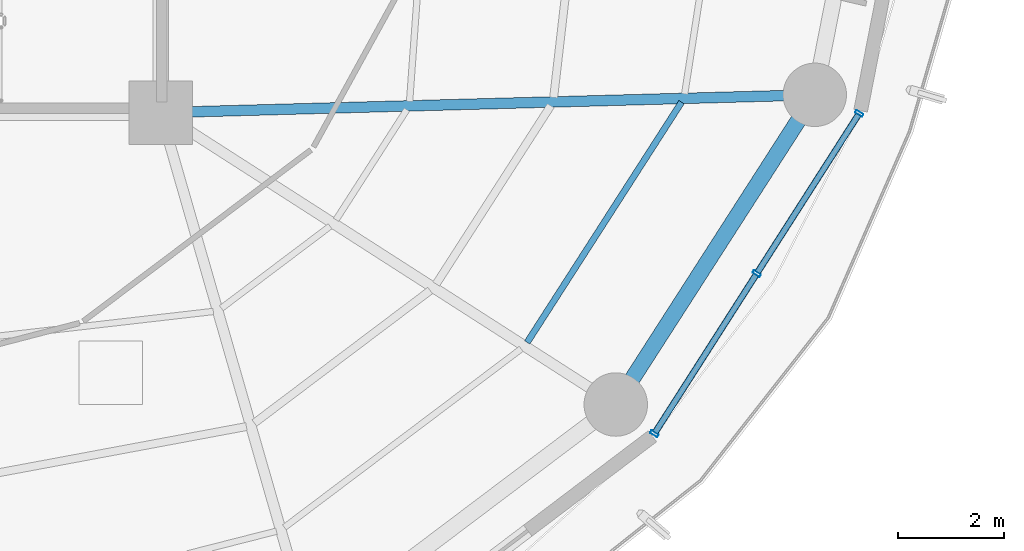
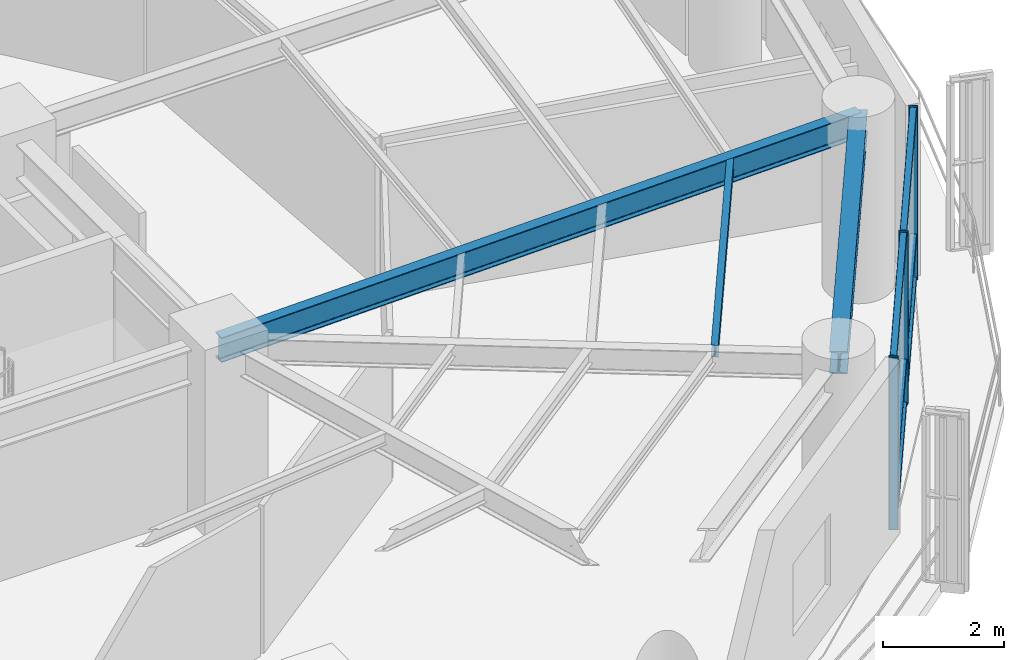
# One storey, part 11 of 27: 9 members, 3 beams, 1 element without a shape of its own.
"""IFC4 building model written with IfcOpenShell, lengths in metres."""

from ifc_helpers import new_model, si_unit, direction, frame, origin, origin_2d, place, context, subcontext, project, spatial, hollow_rectangle, i_section, extrude, material, layer, layer_set, material_profile, profile_set, type_object, element, aggregate, save


model = new_model("IFC4")

# Units and contexts
model_context = context("Model", 3, precision=1e-05, world=origin(), true_north=direction((0.0, 1.0)))
body_context = subcontext(model_context, "Body", "Model", "MODEL_VIEW")
ifc_project = project(units=[si_unit("LENGTHUNIT", "METRE"), si_unit("AREAUNIT", "SQUARE_METRE"), si_unit("VOLUMEUNIT", "CUBIC_METRE"), si_unit("PLANEANGLEUNIT", "RADIAN"), si_unit("MASSUNIT", "GRAM", prefix="KILO")], contexts=[model_context])

# Site, building, storey
site_placement = place(None, origin())
site = spatial("IfcSite", under=ifc_project, at=site_placement, CompositionType="ELEMENT")
building_placement = place(site_placement, origin())
building = spatial("IfcBuilding", under=site, at=building_placement, Name="Kelanora Arch Commons", CompositionType="ELEMENT")
storey_placement = place(building_placement, frame((0.0, 0.0, 150.60009765625)))
storey = spatial("IfcBuildingStorey", under=building, at=storey_placement, Name="L38", CompositionType="ELEMENT", Elevation=150.60009765625)

# Beams
ifc_material_1 = material(Name="Steel S355", Category="steel")
ifc_material_profile_1 = material_profile(ifc_material_1, i_section(OverallWidth=0.1201171875, OverallDepth=0.239990234375, WebThickness=0.006103515625, FlangeThickness=0.009765625, FilletRadius=0.014892578125, at=origin_2d()), Name="IPE240")
ifc_profile_set_1 = profile_set([ifc_material_profile_1], Name="Steel S355")
beam_type_1 = type_object("IfcBeamType", Name="BM-JST-02", PredefinedType="JOIST", material=ifc_profile_set_1)
beam_1_placement = place(storey_placement, frame((88.93212890625, 46.654296875, 3.369873046875), z_axis=(0.540581678156, 0.841291536414, 0.0), x_axis=(-0.841291536414, 0.540581678156, 0.0)))
element("IfcBeam", 1, at=beam_1_placement, inside=storey, type_object=beam_type_1, Name="Secondary Chord Joist BJC-32 L38", PredefinedType="JOIST", context=body_context, shape_type="SweptSolid", body=[
    extrude(i_section(OverallWidth=0.1201171875, OverallDepth=0.239990234375, WebThickness=0.006103515625, FlangeThickness=0.009765625, FilletRadius=0.014892578125, at=origin_2d()), origin(), (0.0, 0.0, 1.0), 5.4013671875),
])
ifc_material_profile_2 = material_profile(ifc_material_1, i_section(OverallWidth=0.199951171875, OverallDepth=0.5, WebThickness=0.01025390625, FlangeThickness=0.01611328125, FilletRadius=0.02099609375, at=origin_2d()), Name="IPE500")
ifc_profile_set_2 = profile_set([ifc_material_profile_2], Name="Steel S355")
beam_type_2 = type_object("IfcBeamType", Name="BM-RAD-Z3", PredefinedType="BEAM", material=ifc_profile_set_2)
beam_2_placement = place(storey_placement, frame((82.0, 51.0, 3.239990234375), z_axis=(0.999628374924, 0.027260081577, 0.0), x_axis=(-0.027260081577, 0.999628374924, 0.0)))
element("IfcBeam", 2, at=beam_2_placement, inside=storey, type_object=beam_type_2, Name="Radial Floor Girder BR-34 L38", PredefinedType="BEAM", context=body_context, shape_type="SweptSolid", body=[
    extrude(i_section(OverallWidth=0.199951171875, OverallDepth=0.5, WebThickness=0.01025390625, FlangeThickness=0.01611328125, FilletRadius=0.02099609375, at=origin_2d()), origin(), (0.0, 0.0, 1.0), 12.377197265625),
])
ifc_material_profile_3 = material_profile(ifc_material_1, i_section(OverallWidth=0.300048828125, OverallDepth=0.449951171875, WebThickness=0.013916015625, FlangeThickness=0.02587890625, FilletRadius=0.027099609375, at=origin_2d()), Name="HEB450")
ifc_profile_set_3 = profile_set([ifc_material_profile_3], Name="Steel S355")
beam_type_3 = type_object("IfcBeamType", Name="BM-SPN-Z3", PredefinedType="SPANDREL", material=ifc_profile_set_3)
beam_3_placement = place(storey_placement, frame((90.60791015625, 45.478515625, 3.264892578125), z_axis=(0.540576852469, 0.841294637196, 0.0), x_axis=(-0.841294637196, 0.540576852469, 0.0)))
element("IfcBeam", 3, at=beam_3_placement, inside=storey, type_object=beam_type_3, Name="Perimeter Spandrel Beam BS-32 L38", PredefinedType="SPANDREL", context=body_context, shape_type="SweptSolid", body=[
    extrude(i_section(OverallWidth=0.300048828125, OverallDepth=0.449951171875, WebThickness=0.013916015625, FlangeThickness=0.02587890625, FilletRadius=0.027099609375, at=origin_2d()), origin(), (0.0, 0.0, 1.0), 6.964111328125),
])

# Curtain wall, members
ifc_material_2 = material(Name="Terracotta ceramic-fritted low-E glass and aluminium", Category="masonry")
ifc_layer = layer(ifc_material_2, 0.175048828125)
ifc_layer_set = layer_set([ifc_layer], Name="Terracotta ceramic-fritted low-E glass and aluminium")
curtain_wall_type = type_object("IfcCurtainWallType", Name="CW-SYS-02", PredefinedType="NOTDEFINED", material=ifc_layer_set)
curtain_wall_placement = place(storey_placement, origin())
curtain_wall = element("IfcCurtainWall", 4, at=curtain_wall_placement, inside=storey, type_object=curtain_wall_type, Name="Unitised Curtain Wall L38-B16", PredefinedType="NOTDEFINED")
ifc_material_3 = material(Name="Powder-coated aluminium terracotta", Category="masonry")
ifc_material_profile_4 = material_profile(ifc_material_3, hollow_rectangle(XDim=0.159912109375, YDim=0.06005859375, WallThickness=0.0048828125, InnerFilletRadius=0.0048828125, OuterFilletRadius=0.010009765625, at=origin_2d()), Name="CWM160x60")
ifc_profile_set_4 = profile_set([ifc_material_profile_4], Name="Powder-coated aluminium terracotta")
member_type_1 = type_object("IfcMemberType", Name="CWM-STD", PredefinedType="MULLION", material=ifc_profile_set_4)
member_1_placement = place(storey_placement, frame((91.3369140625, 44.925048828125, 0.0), z_axis=(0.0, 0.0, 1.0), x_axis=(-0.842422846546, 0.538816988983, 0.0)))
member_1 = element("IfcMember", 5, at=member_1_placement, type_object=member_type_1, Name="CW-02 mullion 1", PredefinedType="MULLION", context=body_context, shape_type="SweptSolid", body=[
    extrude(hollow_rectangle(XDim=0.159912109375, YDim=0.06005859375, WallThickness=0.0048828125, InnerFilletRadius=0.0048828125, OuterFilletRadius=0.010009765625, at=origin_2d()), origin(), (0.0, 0.0, 1.0), 3.474853515625),
])
member_2_placement = place(storey_placement, frame((93.27490234375, 47.954833984375, 0.0), z_axis=(0.0, 0.0, 1.0), x_axis=(-0.842422846546, 0.538816988983, 0.0)))
member_2 = element("IfcMember", 6, at=member_2_placement, type_object=member_type_1, Name="CW-02 mullion 2", PredefinedType="MULLION", context=body_context, shape_type="SweptSolid", body=[
    extrude(hollow_rectangle(XDim=0.159912109375, YDim=0.06005859375, WallThickness=0.0048828125, InnerFilletRadius=0.0048828125, OuterFilletRadius=0.010009765625, at=origin_2d()), origin(), (0.0, 0.0, 1.0), 3.474853515625),
])
member_3_placement = place(storey_placement, frame((95.212890625, 50.98486328125, 0.0), z_axis=(0.0, 0.0, 1.0), x_axis=(-0.842422846546, 0.538816988983, 0.0)))
member_3 = element("IfcMember", 7, at=member_3_placement, type_object=member_type_1, Name="CW-02 mullion 3", PredefinedType="MULLION", context=body_context, shape_type="SweptSolid", body=[
    extrude(hollow_rectangle(XDim=0.159912109375, YDim=0.06005859375, WallThickness=0.0048828125, InnerFilletRadius=0.0048828125, OuterFilletRadius=0.010009765625, at=origin_2d()), origin(), (0.0, 0.0, 1.0), 3.474853515625),
])
ifc_material_profile_5 = material_profile(ifc_material_3, hollow_rectangle(XDim=0.1201171875, YDim=0.06005859375, WallThickness=0.0048828125, InnerFilletRadius=0.0048828125, OuterFilletRadius=0.010009765625, at=origin_2d()), Name="CWT120x60")
ifc_profile_set_5 = profile_set([ifc_material_profile_5], Name="Powder-coated aluminium terracotta")
member_type_2 = type_object("IfcMemberType", Name="CWT-STD", PredefinedType="USERDEFINED", material=ifc_profile_set_5)
member_4_placement = place(storey_placement, frame((91.35302734375, 44.9501953125, 0.02978515625), z_axis=(0.53883037555, 0.842414284295, 0.0), x_axis=(-0.842414284295, 0.53883037555, 0.0)))
member_4 = element("IfcMember", 8, at=member_4_placement, type_object=member_type_2, Name="CW-02 transom 1.1", ObjectType="TRANSOM", PredefinedType="USERDEFINED", context=body_context, shape_type="SweptSolid", body=[
    extrude(hollow_rectangle(XDim=0.1201171875, YDim=0.06005859375, WallThickness=0.0048828125, InnerFilletRadius=0.0048828125, OuterFilletRadius=0.010009765625, at=origin_2d()), origin(), (0.0, 0.0, 1.0), 3.536865234375),
])
member_5_placement = place(storey_placement, frame((91.35302734375, 44.9501953125, 0.89990234375), z_axis=(0.53883037555, 0.842414284295, 0.0), x_axis=(-0.842414284295, 0.53883037555, 0.0)))
member_5 = element("IfcMember", 9, at=member_5_placement, type_object=member_type_2, Name="CW-02 transom 1.2", ObjectType="TRANSOM", PredefinedType="USERDEFINED", context=body_context, shape_type="SweptSolid", body=[
    extrude(hollow_rectangle(XDim=0.1201171875, YDim=0.06005859375, WallThickness=0.0048828125, InnerFilletRadius=0.0048828125, OuterFilletRadius=0.010009765625, at=origin_2d()), origin(), (0.0, 0.0, 1.0), 3.536865234375),
])
member_6_placement = place(storey_placement, frame((91.35302734375, 44.9501953125, 3.44482421875), z_axis=(0.53883037555, 0.842414284295, 0.0), x_axis=(-0.842414284295, 0.53883037555, 0.0)))
member_6 = element("IfcMember", 10, at=member_6_placement, type_object=member_type_2, Name="CW-02 transom 1.3", ObjectType="TRANSOM", PredefinedType="USERDEFINED", context=body_context, shape_type="SweptSolid", body=[
    extrude(hollow_rectangle(XDim=0.1201171875, YDim=0.06005859375, WallThickness=0.0048828125, InnerFilletRadius=0.0048828125, OuterFilletRadius=0.010009765625, at=origin_2d()), origin(), (0.0, 0.0, 1.0), 3.536865234375),
])
member_7_placement = place(storey_placement, frame((93.291015625, 47.980224609375, 0.02978515625), z_axis=(0.53883037555, 0.842414284295, 0.0), x_axis=(-0.842414284295, 0.53883037555, 0.0)))
member_7 = element("IfcMember", 11, at=member_7_placement, type_object=member_type_2, Name="CW-02 transom 2.1", ObjectType="TRANSOM", PredefinedType="USERDEFINED", context=body_context, shape_type="SweptSolid", body=[
    extrude(hollow_rectangle(XDim=0.1201171875, YDim=0.06005859375, WallThickness=0.0048828125, InnerFilletRadius=0.0048828125, OuterFilletRadius=0.010009765625, at=origin_2d()), origin(), (0.0, 0.0, 1.0), 3.536865234375),
])
member_8_placement = place(storey_placement, frame((93.291015625, 47.980224609375, 0.89990234375), z_axis=(0.53883037555, 0.842414284295, 0.0), x_axis=(-0.842414284295, 0.53883037555, 0.0)))
member_8 = element("IfcMember", 12, at=member_8_placement, type_object=member_type_2, Name="CW-02 transom 2.2", ObjectType="TRANSOM", PredefinedType="USERDEFINED", context=body_context, shape_type="SweptSolid", body=[
    extrude(hollow_rectangle(XDim=0.1201171875, YDim=0.06005859375, WallThickness=0.0048828125, InnerFilletRadius=0.0048828125, OuterFilletRadius=0.010009765625, at=origin_2d()), origin(), (0.0, 0.0, 1.0), 3.536865234375),
])
member_9_placement = place(storey_placement, frame((93.291015625, 47.980224609375, 3.44482421875), z_axis=(0.53883037555, 0.842414284295, 0.0), x_axis=(-0.842414284295, 0.53883037555, 0.0)))
member_9 = element("IfcMember", 13, at=member_9_placement, type_object=member_type_2, Name="CW-02 transom 2.3", ObjectType="TRANSOM", PredefinedType="USERDEFINED", context=body_context, shape_type="SweptSolid", body=[
    extrude(hollow_rectangle(XDim=0.1201171875, YDim=0.06005859375, WallThickness=0.0048828125, InnerFilletRadius=0.0048828125, OuterFilletRadius=0.010009765625, at=origin_2d()), origin(), (0.0, 0.0, 1.0), 3.536865234375),
])
aggregate(curtain_wall, [member_1, member_2, member_3, member_4, member_5, member_6, member_7, member_8, member_9])

save(model, "model.ifc")
